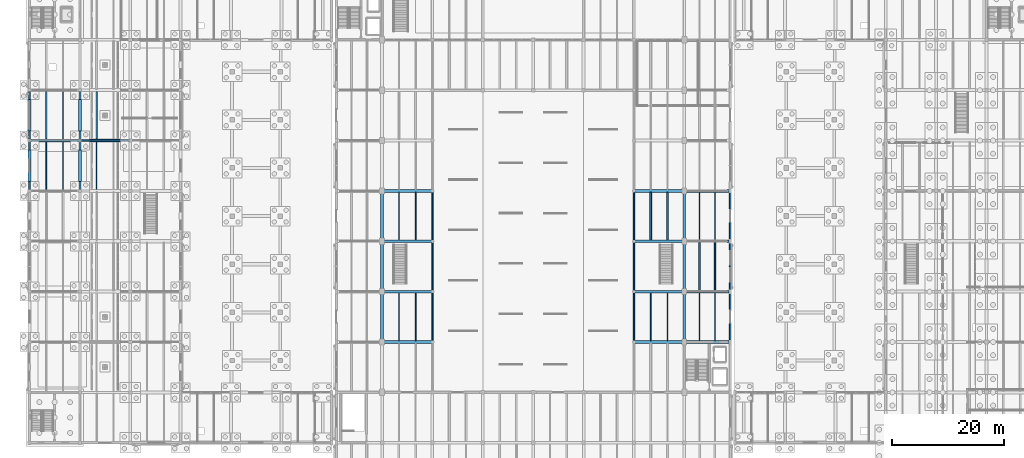
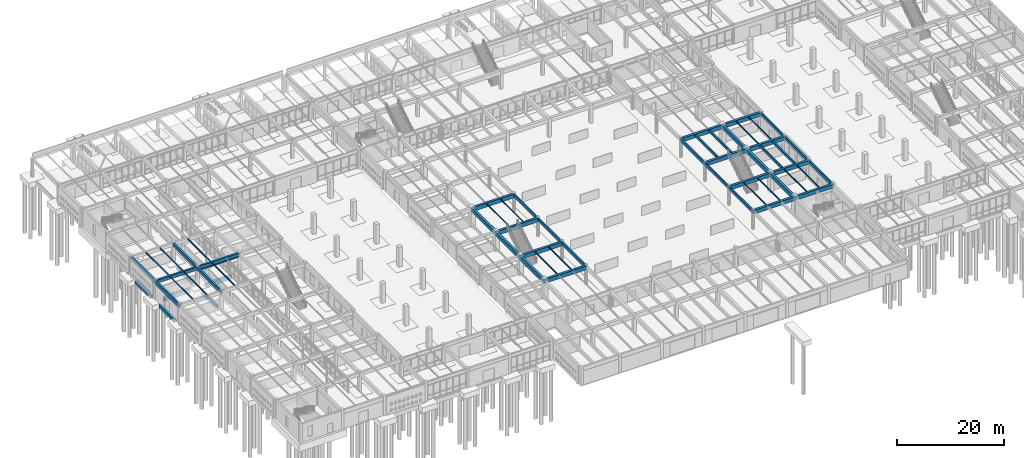
# One storey, part 48 of 186: 60 beams.
"""IFC4 building model written with IfcOpenShell, lengths in metres."""

from ifc_helpers import new_model, si_unit, direction, frame, origin, origin_2d, place, context, subcontext, project, spatial, rectangle, i_section, extrude, material, material_profile, profile_set, type_object, element, save


model = new_model("IFC4")

# Units and contexts
model_context = context("Model", 3, precision=1e-05, world=origin(), true_north=direction((0.0, 1.0)))
body_context = subcontext(model_context, "Body", "Model", "MODEL_VIEW")
ifc_project = project(units=[si_unit("LENGTHUNIT", "METRE"), si_unit("AREAUNIT", "SQUARE_METRE"), si_unit("VOLUMEUNIT", "CUBIC_METRE"), si_unit("PLANEANGLEUNIT", "RADIAN"), si_unit("MASSUNIT", "GRAM", prefix="KILO")], contexts=[model_context])

# Site, building, storey
site_placement = place(None, origin())
site = spatial("IfcSite", under=ifc_project, at=site_placement, CompositionType="ELEMENT")
building_placement = place(site_placement, origin())
building = spatial("IfcBuilding", under=site, at=building_placement, Name="Ornek Quay Market", CompositionType="ELEMENT")
storey_placement = place(building_placement, origin())
storey = spatial("IfcBuildingStorey", under=building, at=storey_placement, Name="L00", CompositionType="ELEMENT", Elevation=0.0)

# Beams
ifc_material_1 = material(Name="Concrete C40/50", Category="concrete")
ifc_material_profile_1 = material_profile(ifc_material_1, rectangle(XDim=0.5, YDim=0.85009765625, at=origin_2d()), Name="RC 500x850", Category="concrete")
ifc_profile_set_1 = profile_set([ifc_material_profile_1], Name="Concrete C40/50")
beam_type_1 = type_object("IfcBeamType", Name="BM-GAL-500x850", PredefinedType="BEAM", material=ifc_profile_set_1)
for number, where, z_axis, x_axis, name in (
    (1, (63.0, 38.0, 3.81494140625), (1.0, 0.0, 0.0), (0.0, 1.0, 0.0), "Primary beam B-GL1-010"),
    (2, (63.0, 47.0, 3.81494140625), (1.0, 0.0, 0.0), (0.0, 1.0, 0.0), "Primary beam B-GL1-012"),
    (3, (63.0, 56.0, 3.81494140625), (1.0, 0.0, 0.0), (0.0, 1.0, 0.0), "Primary beam B-GL1-014"),
    (4, (63.0, 65.0, 3.81494140625), (1.0, 0.0, 0.0), (0.0, 1.0, 0.0), "Primary beam B-GL1-016"),
    (5, (63.0, 38.0, 3.81494140625), (0.0, 1.0, 0.0), (-1.0, 0.0, 0.0), "Primary beam B-GL1-022"),
    (6, (63.0, 47.0, 3.81494140625), (0.0, 1.0, 0.0), (-1.0, 0.0, 0.0), "Primary beam B-GL1-023"),
    (7, (63.0, 56.0, 3.81494140625), (0.0, 1.0, 0.0), (-1.0, 0.0, 0.0), "Primary beam B-GL1-024"),
    (8, (108.0, 38.0, 3.81494140625), (1.0, 0.0, 0.0), (0.0, 1.0, 0.0), "Primary beam B-GL1-028"),
):
    element("IfcBeam", number, at=place(storey_placement, frame(where, z_axis=z_axis, x_axis=x_axis)), inside=storey, type_object=beam_type_1, Name=name, PredefinedType="BEAM", context=body_context, shape_type="SweptSolid", body=[
        extrude(rectangle(XDim=0.5, YDim=0.85009765625, at=origin_2d()), origin(), (0.0, 0.0, 1.0), 9.0),
    ])
beam_1_placement = place(storey_placement, frame((117.0, 38.0, 3.81494140625), z_axis=(1.0, 0.0, 0.0), x_axis=(0.0, 1.0, 0.0)))
element("IfcBeam", 9, at=beam_1_placement, inside=storey, type_object=beam_type_1, Name="Primary beam B-GL1-029", PredefinedType="BEAM", context=body_context, shape_type="SweptSolid", body=[
    extrude(rectangle(XDim=0.5, YDim=0.85009765625, at=origin_2d()), origin(), (0.0, 0.0, 1.0), 8.199951171875),
])
beam_2_placement = place(storey_placement, frame((108.0, 47.0, 3.81494140625), z_axis=(1.0, 0.0, 0.0), x_axis=(0.0, 1.0, 0.0)))
element("IfcBeam", 10, at=beam_2_placement, inside=storey, type_object=beam_type_1, Name="Primary beam B-GL1-030", PredefinedType="BEAM", context=body_context, shape_type="SweptSolid", body=[
    extrude(rectangle(XDim=0.5, YDim=0.85009765625, at=origin_2d()), origin(), (0.0, 0.0, 1.0), 9.0),
])
beam_3_placement = place(storey_placement, frame((117.0, 47.0, 3.81494140625), z_axis=(1.0, 0.0, 0.0), x_axis=(0.0, 1.0, 0.0)))
element("IfcBeam", 11, at=beam_3_placement, inside=storey, type_object=beam_type_1, Name="Primary beam B-GL1-031", PredefinedType="BEAM", context=body_context, shape_type="SweptSolid", body=[
    extrude(rectangle(XDim=0.5, YDim=0.85009765625, at=origin_2d()), origin(), (0.0, 0.0, 1.0), 8.199951171875),
])
beam_4_placement = place(storey_placement, frame((108.0, 56.0, 3.81494140625), z_axis=(1.0, 0.0, 0.0), x_axis=(0.0, 1.0, 0.0)))
element("IfcBeam", 12, at=beam_4_placement, inside=storey, type_object=beam_type_1, Name="Primary beam B-GL1-032", PredefinedType="BEAM", context=body_context, shape_type="SweptSolid", body=[
    extrude(rectangle(XDim=0.5, YDim=0.85009765625, at=origin_2d()), origin(), (0.0, 0.0, 1.0), 9.0),
])
beam_5_placement = place(storey_placement, frame((117.0, 56.0, 3.81494140625), z_axis=(1.0, 0.0, 0.0), x_axis=(0.0, 1.0, 0.0)))
element("IfcBeam", 13, at=beam_5_placement, inside=storey, type_object=beam_type_1, Name="Primary beam B-GL1-033", PredefinedType="BEAM", context=body_context, shape_type="SweptSolid", body=[
    extrude(rectangle(XDim=0.5, YDim=0.85009765625, at=origin_2d()), origin(), (0.0, 0.0, 1.0), 8.199951171875),
])
beam_6_placement = place(storey_placement, frame((108.0, 65.0, 3.81494140625), z_axis=(1.0, 0.0, 0.0), x_axis=(0.0, 1.0, 0.0)))
element("IfcBeam", 14, at=beam_6_placement, inside=storey, type_object=beam_type_1, Name="Primary beam B-GL1-034", PredefinedType="BEAM", context=body_context, shape_type="SweptSolid", body=[
    extrude(rectangle(XDim=0.5, YDim=0.85009765625, at=origin_2d()), origin(), (0.0, 0.0, 1.0), 9.0),
])
beam_7_placement = place(storey_placement, frame((117.0, 65.0, 3.81494140625), z_axis=(1.0, 0.0, 0.0), x_axis=(0.0, 1.0, 0.0)))
element("IfcBeam", 15, at=beam_7_placement, inside=storey, type_object=beam_type_1, Name="Primary beam B-GL1-035", PredefinedType="BEAM", context=body_context, shape_type="SweptSolid", body=[
    extrude(rectangle(XDim=0.5, YDim=0.85009765625, at=origin_2d()), origin(), (0.0, 0.0, 1.0), 8.199951171875),
])
for number, where, z_axis, x_axis, name in (
    (16, (117.0, 38.0, 3.81494140625), (0.0, 1.0, 0.0), (-1.0, 0.0, 0.0), "Primary beam B-GL1-041"),
    (17, (117.0, 47.0, 3.81494140625), (0.0, 1.0, 0.0), (-1.0, 0.0, 0.0), "Primary beam B-GL1-042"),
    (18, (117.0, 56.0, 3.81494140625), (0.0, 1.0, 0.0), (-1.0, 0.0, 0.0), "Primary beam B-GL1-043"),
):
    element("IfcBeam", number, at=place(storey_placement, frame(where, z_axis=z_axis, x_axis=x_axis)), inside=storey, type_object=beam_type_1, Name=name, PredefinedType="BEAM", context=body_context, shape_type="SweptSolid", body=[
        extrude(rectangle(XDim=0.5, YDim=0.85009765625, at=origin_2d()), origin(), (0.0, 0.0, 1.0), 9.0),
    ])
ifc_material_2 = material(Name="Concrete C35/45", Category="concrete")
ifc_material_profile_2 = material_profile(ifc_material_2, rectangle(XDim=0.5, YDim=0.75, at=origin_2d()), Name="RC 500x750", Category="concrete")
ifc_profile_set_2 = profile_set([ifc_material_profile_2], Name="Concrete C35/45")
beam_type_2 = type_object("IfcBeamType", Name="BM-GB-500x750", PredefinedType="BEAM", material=ifc_profile_set_2)
for number, where, z_axis, x_axis, name in (
    (19, (0.0, 66.699951171875, -0.574951171875), (0.0, 1.0, 0.0), (-1.0, 0.0, 0.0), "Ground tie beam GB-057"),
    (20, (0.0, 75.699951171875, -0.574951171875), (0.0, 1.0, 0.0), (-1.0, 0.0, 0.0), "Ground tie beam GB-058"),
    (21, (9.0, 66.699951171875, -0.574951171875), (0.0, 1.0, 0.0), (-1.0, 0.0, 0.0), "Ground tie beam GB-063"),
    (22, (9.0, 75.699951171875, -0.574951171875), (0.0, 1.0, 0.0), (-1.0, 0.0, 0.0), "Ground tie beam GB-064"),
):
    element("IfcBeam", number, at=place(storey_placement, frame(where, z_axis=z_axis, x_axis=x_axis)), inside=storey, type_object=beam_type_2, Name=name, PredefinedType="BEAM", context=body_context, shape_type="SweptSolid", body=[
        extrude(rectangle(XDim=0.5, YDim=0.75, at=origin_2d()), origin(), (0.0, 0.0, 1.0), 5.60009765625),
    ])
ifc_material_profile_3 = material_profile(ifc_material_2, rectangle(XDim=0.550048828125, YDim=0.85009765625, at=origin_2d()), Name="RC 550x850", Category="concrete")
ifc_profile_set_3 = profile_set([ifc_material_profile_3], Name="Concrete C35/45")
beam_type_3 = type_object("IfcBeamType", Name="BM-GB-550x850", PredefinedType="BEAM", material=ifc_profile_set_3)
for number, where, z_axis, x_axis, name in (
    (23, (1.699951171875, 74.0, -0.625), (1.0, 0.0, 0.0), (0.0, 1.0, 0.0), "Ground tie beam GB-026"),
    (24, (10.699951171875, 74.0, -0.625), (1.0, 0.0, 0.0), (0.0, 1.0, 0.0), "Ground tie beam GB-027"),
):
    element("IfcBeam", number, at=place(storey_placement, frame(where, z_axis=z_axis, x_axis=x_axis)), inside=storey, type_object=beam_type_3, Name=name, PredefinedType="BEAM", context=body_context, shape_type="SweptSolid", body=[
        extrude(rectangle(XDim=0.550048828125, YDim=0.85009765625, at=origin_2d()), origin(), (0.0, 0.0, 1.0), 5.60009765625),
    ])
ifc_material_3 = material(Name="Precast concrete C40/50", Category="concrete")
ifc_material_profile_4 = material_profile(ifc_material_3, rectangle(XDim=0.25, YDim=0.320068359375, at=origin_2d()), Name="RC 250x320", Category="concrete")
ifc_profile_set_4 = profile_set([ifc_material_profile_4], Name="Precast concrete C40/50")
beam_type_4 = type_object("IfcBeamType", Name="BM-LNT-250x320", PredefinedType="LINTEL", material=ifc_profile_set_4)
beam_8_placement = place(storey_placement, frame((9.0, 74.0, 3.35009765625), z_axis=(1.0, 0.0, 0.0), x_axis=(0.0, 1.0, 0.0)))
element("IfcBeam", 25, at=beam_8_placement, inside=storey, type_object=beam_type_4, Name="Market portal lintel LN-04", PredefinedType="LINTEL", context=body_context, shape_type="SweptSolid", body=[
    extrude(rectangle(XDim=0.25, YDim=0.320068359375, at=origin_2d()), origin(), (0.0, 0.0, 1.0), 9.0),
])
ifc_material_profile_5 = material_profile(ifc_material_2, rectangle(XDim=0.280029296875, YDim=0.5, at=origin_2d()), Name="RC 280x500", Category="concrete")
ifc_profile_set_5 = profile_set([ifc_material_profile_5], Name="Concrete C35/45")
beam_type_5 = type_object("IfcBeamType", Name="BM-SEC-280x500", PredefinedType="JOIST", material=ifc_profile_set_5)
for number, where, z_axis, x_axis, name in (
    (26, (111.0, 56.241943359375, 3.989990234375), (0.0, 1.0, 0.0), (-1.0, 0.0, 0.0), "Secondary joist B-SC2-049"),
    (27, (114.0, 56.241943359375, 3.989990234375), (0.0, 1.0, 0.0), (-1.0, 0.0, 0.0), "Secondary joist B-SC2-050"),
    (28, (119.7333984375, 47.241943359375, 3.989990234375), (0.0, 1.0, 0.0), (-1.0, 0.0, 0.0), "Secondary joist B-SC2-053"),
    (29, (122.466796875, 47.241943359375, 3.989990234375), (0.0, 1.0, 0.0), (-1.0, 0.0, 0.0), "Secondary joist B-SC2-054"),
):
    element("IfcBeam", number, at=place(storey_placement, frame(where, z_axis=z_axis, x_axis=x_axis)), inside=storey, type_object=beam_type_5, Name=name, PredefinedType="JOIST", context=body_context, shape_type="SweptSolid", body=[
        extrude(rectangle(XDim=0.280029296875, YDim=0.5, at=origin_2d()), origin(), (0.0, 0.0, 1.0), 8.51611328125),
    ])
ifc_material_profile_6 = material_profile(ifc_material_2, rectangle(XDim=0.280029296875, YDim=0.699951171875, at=origin_2d()), Name="RC 280x700", Category="concrete")
ifc_profile_set_6 = profile_set([ifc_material_profile_6], Name="Concrete C35/45")
beam_type_6 = type_object("IfcBeamType", Name="BM-SPN-280x700", PredefinedType="SPANDREL", material=ifc_profile_set_6)
for number, where, z_axis, x_axis, name in (
    (30, (72.0, 38.0, 3.889892578125), (0.0, 1.0, 0.0), (-1.0, 0.0, 0.0), "Primary beam B-SP2-027"),
    (31, (72.0, 47.0, 3.889892578125), (0.0, 1.0, 0.0), (-1.0, 0.0, 0.0), "Primary beam B-SP2-028"),
    (32, (72.0, 56.0, 3.889892578125), (0.0, 1.0, 0.0), (-1.0, 0.0, 0.0), "Primary beam B-SP2-029"),
    (33, (108.0, 38.0, 3.889892578125), (0.0, 1.0, 0.0), (-1.0, 0.0, 0.0), "Primary beam B-SP2-036"),
    (34, (108.0, 47.0, 3.889892578125), (0.0, 1.0, 0.0), (-1.0, 0.0, 0.0), "Primary beam B-SP2-037"),
    (35, (108.0, 56.0, 3.889892578125), (0.0, 1.0, 0.0), (-1.0, 0.0, 0.0), "Primary beam B-SP2-038"),
    (36, (125.199951171875, 38.0, 3.889892578125), (0.0, 1.0, 0.0), (-1.0, 0.0, 0.0), "Primary beam B-SP2-043"),
    (37, (125.199951171875, 47.0, 3.889892578125), (0.0, 1.0, 0.0), (-1.0, 0.0, 0.0), "Primary beam B-SP2-044"),
    (38, (125.199951171875, 56.0, 3.889892578125), (0.0, 1.0, 0.0), (-1.0, 0.0, 0.0), "Primary beam B-SP2-045"),
):
    element("IfcBeam", number, at=place(storey_placement, frame(where, z_axis=z_axis, x_axis=x_axis)), inside=storey, type_object=beam_type_6, Name=name, PredefinedType="SPANDREL", context=body_context, shape_type="SweptSolid", body=[
        extrude(rectangle(XDim=0.280029296875, YDim=0.699951171875, at=origin_2d()), origin(), (0.0, 0.0, 1.0), 9.0),
    ])
ifc_material_profile_7 = material_profile(ifc_material_1, rectangle(XDim=0.35009765625, YDim=0.85009765625, at=origin_2d()), Name="RC 350x850", Category="concrete")
ifc_profile_set_7 = profile_set([ifc_material_profile_7], Name="Concrete C40/50")
beam_type_7 = type_object("IfcBeamType", Name="BM-SPN-350x850", PredefinedType="SPANDREL", material=ifc_profile_set_7)
for number, where, z_axis, x_axis, name in (
    (39, (0.0, 65.0, 3.794921875), (0.0, 1.0, 0.0), (-1.0, 0.0, 0.0), "Primary beam B-SP1-055"),
    (40, (0.0, 74.0, 3.794921875), (0.0, 1.0, 0.0), (-1.0, 0.0, 0.0), "Primary beam B-SP1-056"),
):
    element("IfcBeam", number, at=place(storey_placement, frame(where, z_axis=z_axis, x_axis=x_axis)), inside=storey, type_object=beam_type_7, Name=name, PredefinedType="SPANDREL", context=body_context, shape_type="SweptSolid", body=[
        extrude(rectangle(XDim=0.35009765625, YDim=0.85009765625, at=origin_2d()), origin(), (0.0, 0.0, 1.0), 9.0),
    ])
ifc_material_4 = material(Name="Steel S355", Category="steel")
ifc_material_profile_8 = material_profile(ifc_material_4, i_section(OverallWidth=0.199951171875, OverallDepth=0.18994140625, WebThickness=0.006591796875, FlangeThickness=0.010009765625, FilletRadius=0.01806640625, at=origin_2d()), Name="HEA 200", Category="steel")
ifc_profile_set_8 = profile_set([ifc_material_profile_8], Name="Steel S355")
beam_type_8 = type_object("IfcBeamType", Name="BM-STL-HEA200", PredefinedType="BEAM", material=ifc_profile_set_8)
for number, where, z_axis, x_axis, name in (
    (41, (3.0, 74.19189453125, 4.125), (0.0, 1.0, 0.0), (-1.0, 0.0, 0.0), "Secondary joist SB-12-003"),
    (42, (6.0, 74.19189453125, 4.125), (0.0, 1.0, 0.0), (-1.0, 0.0, 0.0), "Secondary joist SB-12-004"),
    (43, (12.0, 65.19189453125, 4.125), (0.0, 1.0, 0.0), (-1.0, 0.0, 0.0), "Secondary joist SB-12-007"),
):
    element("IfcBeam", number, at=place(storey_placement, frame(where, z_axis=z_axis, x_axis=x_axis)), inside=storey, type_object=beam_type_8, Name=name, PredefinedType="BEAM", context=body_context, shape_type="SweptSolid", body=[
        extrude(i_section(OverallWidth=0.199951171875, OverallDepth=0.18994140625, WebThickness=0.006591796875, FlangeThickness=0.010009765625, FilletRadius=0.01806640625, at=origin_2d()), origin(), (0.0, 0.0, 1.0), 8.6162109375),
    ])
ifc_material_profile_9 = material_profile(ifc_material_4, i_section(OverallWidth=0.219970703125, OverallDepth=0.2099609375, WebThickness=0.007080078125, FlangeThickness=0.010986328125, FilletRadius=0.01806640625, at=origin_2d()), Name="HEA 220", Category="steel")
ifc_profile_set_9 = profile_set([ifc_material_profile_9], Name="Steel S355")
beam_type_9 = type_object("IfcBeamType", Name="BM-STL-HEA220", PredefinedType="BEAM", material=ifc_profile_set_9)
beam_9_placement = place(storey_placement, frame((12.0, 74.19189453125, 4.114990234375), z_axis=(0.0, 1.0, 0.0), x_axis=(-1.0, 0.0, 0.0)))
element("IfcBeam", 44, at=beam_9_placement, inside=storey, type_object=beam_type_9, Name="Secondary joist SB-13-007", PredefinedType="BEAM", context=body_context, shape_type="SweptSolid", body=[
    extrude(i_section(OverallWidth=0.219970703125, OverallDepth=0.2099609375, WebThickness=0.007080078125, FlangeThickness=0.010986328125, FilletRadius=0.01806640625, at=origin_2d()), origin(), (0.0, 0.0, 1.0), 8.6162109375),
])
ifc_material_profile_10 = material_profile(ifc_material_4, i_section(OverallWidth=0.1201171875, OverallDepth=0.239990234375, WebThickness=0.006103515625, FlangeThickness=0.009765625, FilletRadius=0.014892578125, at=origin_2d()), Name="IPE 240", Category="steel")
ifc_profile_set_10 = profile_set([ifc_material_profile_10], Name="Steel S355")
beam_type_10 = type_object("IfcBeamType", Name="BM-STL-IPE240", PredefinedType="JOIST", material=ifc_profile_set_10)
for number, where, z_axis, x_axis, name in (
    (45, (3.0, 65.19189453125, 4.10009765625), (0.0, 1.0, 0.0), (-1.0, 0.0, 0.0), "Secondary joist SB-04-003"),
    (46, (6.0, 65.19189453125, 4.10009765625), (0.0, 1.0, 0.0), (-1.0, 0.0, 0.0), "Secondary joist SB-04-004"),
):
    element("IfcBeam", number, at=place(storey_placement, frame(where, z_axis=z_axis, x_axis=x_axis)), inside=storey, type_object=beam_type_10, Name=name, PredefinedType="JOIST", context=body_context, shape_type="SweptSolid", body=[
        extrude(i_section(OverallWidth=0.1201171875, OverallDepth=0.239990234375, WebThickness=0.006103515625, FlangeThickness=0.009765625, FilletRadius=0.014892578125, at=origin_2d()), origin(), (0.0, 0.0, 1.0), 8.6162109375),
    ])
for number, where, z_axis, x_axis, name in (
    (47, (66.0, 56.241943359375, 4.1201171875), (0.0, 1.0, 0.0), (-1.0, 0.0, 0.0), "Secondary joist SB-04-023"),
    (48, (69.0, 56.241943359375, 4.1201171875), (0.0, 1.0, 0.0), (-1.0, 0.0, 0.0), "Secondary joist SB-04-024"),
    (49, (111.0, 38.241943359375, 4.1201171875), (0.0, 1.0, 0.0), (-1.0, 0.0, 0.0), "Secondary joist SB-04-027"),
    (50, (114.0, 38.241943359375, 4.1201171875), (0.0, 1.0, 0.0), (-1.0, 0.0, 0.0), "Secondary joist SB-04-028"),
    (51, (119.7333984375, 56.241943359375, 4.1201171875), (0.0, 1.0, 0.0), (-1.0, 0.0, 0.0), "Secondary joist SB-04-031"),
    (52, (122.466796875, 56.241943359375, 4.1201171875), (0.0, 1.0, 0.0), (-1.0, 0.0, 0.0), "Secondary joist SB-04-032"),
):
    element("IfcBeam", number, at=place(storey_placement, frame(where, z_axis=z_axis, x_axis=x_axis)), inside=storey, type_object=beam_type_10, Name=name, PredefinedType="JOIST", context=body_context, shape_type="SweptSolid", body=[
        extrude(i_section(OverallWidth=0.1201171875, OverallDepth=0.239990234375, WebThickness=0.006103515625, FlangeThickness=0.009765625, FilletRadius=0.014892578125, at=origin_2d()), origin(), (0.0, 0.0, 1.0), 8.51611328125),
    ])
ifc_material_profile_11 = material_profile(ifc_material_4, i_section(OverallWidth=0.135009765625, OverallDepth=0.27001953125, WebThickness=0.006591796875, FlangeThickness=0.01025390625, FilletRadius=0.014892578125, at=origin_2d()), Name="IPE 270", Category="steel")
ifc_profile_set_11 = profile_set([ifc_material_profile_11], Name="Steel S355")
beam_type_11 = type_object("IfcBeamType", Name="BM-STL-IPE270", PredefinedType="JOIST", material=ifc_profile_set_11)
for number, where, z_axis, x_axis, name in (
    (53, (66.0, 38.241943359375, 4.10498046875), (0.0, 1.0, 0.0), (-1.0, 0.0, 0.0), "Secondary joist SB-05-005"),
    (54, (69.0, 38.241943359375, 4.10498046875), (0.0, 1.0, 0.0), (-1.0, 0.0, 0.0), "Secondary joist SB-05-006"),
    (55, (119.7333984375, 38.241943359375, 4.10498046875), (0.0, 1.0, 0.0), (-1.0, 0.0, 0.0), "Secondary joist SB-05-011"),
    (56, (122.466796875, 38.241943359375, 4.10498046875), (0.0, 1.0, 0.0), (-1.0, 0.0, 0.0), "Secondary joist SB-05-012"),
):
    element("IfcBeam", number, at=place(storey_placement, frame(where, z_axis=z_axis, x_axis=x_axis)), inside=storey, type_object=beam_type_11, Name=name, PredefinedType="JOIST", context=body_context, shape_type="SweptSolid", body=[
        extrude(i_section(OverallWidth=0.135009765625, OverallDepth=0.27001953125, WebThickness=0.006591796875, FlangeThickness=0.01025390625, FilletRadius=0.014892578125, at=origin_2d()), origin(), (0.0, 0.0, 1.0), 8.51611328125),
    ])
ifc_material_profile_12 = material_profile(ifc_material_2, rectangle(XDim=0.39990234375, YDim=0.699951171875, at=origin_2d()), Name="RC 400x700", Category="concrete")
ifc_profile_set_12 = profile_set([ifc_material_profile_12], Name="Concrete C35/45")
beam_type_12 = type_object("IfcBeamType", Name="BM-WW-400x700", PredefinedType="BEAM", material=ifc_profile_set_12)
for number, where, z_axis, x_axis, name in (
    (57, (0.0, 74.0, 3.8701171875), (1.0, 0.0, 0.0), (0.0, 1.0, 0.0), "Primary beam B-WW1-016"),
    (58, (9.0, 74.0, 3.8701171875), (1.0, 0.0, 0.0), (0.0, 1.0, 0.0), "Primary beam B-WW1-017"),
    (59, (9.0, 65.0, 3.8701171875), (0.0, 1.0, 0.0), (-1.0, 0.0, 0.0), "Primary beam B-WW1-033"),
    (60, (9.0, 74.0, 3.8701171875), (0.0, 1.0, 0.0), (-1.0, 0.0, 0.0), "Primary beam B-WW1-034"),
):
    element("IfcBeam", number, at=place(storey_placement, frame(where, z_axis=z_axis, x_axis=x_axis)), inside=storey, type_object=beam_type_12, Name=name, PredefinedType="BEAM", context=body_context, shape_type="SweptSolid", body=[
        extrude(rectangle(XDim=0.39990234375, YDim=0.699951171875, at=origin_2d()), origin(), (0.0, 0.0, 1.0), 9.0),
    ])

save(model, "model.ifc")
